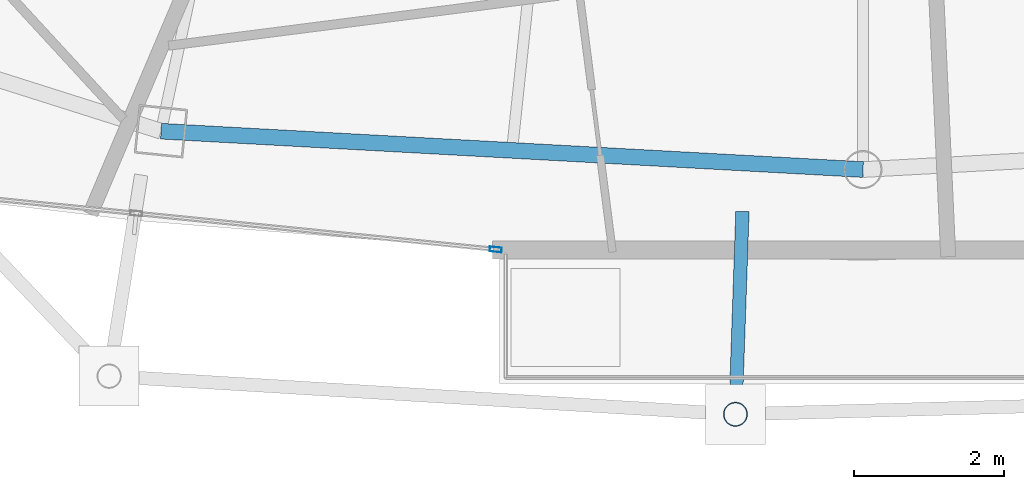
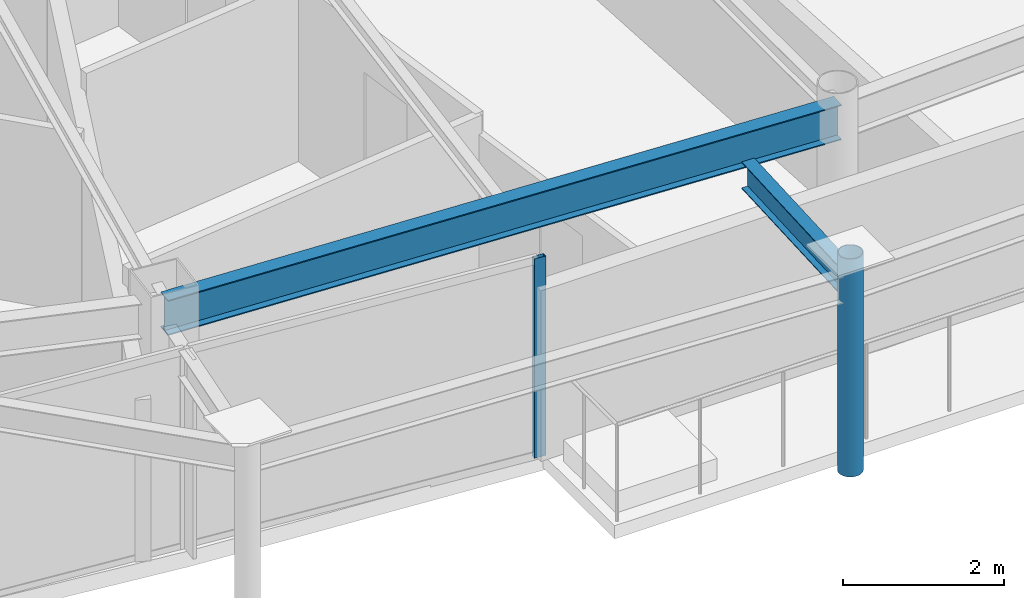
# One storey, part 7 of 30: 2 beams, 2 members, 1 element without a shape of its own.
"""IFC4 building model written with IfcOpenShell, lengths in metres."""

from ifc_helpers import new_model, si_unit, direction, frame, origin, origin_2d, place, context, subcontext, project, spatial, hollow_rectangle, hollow_circle, i_section, extrude, material, layer, layer_set, material_profile, profile_set, type_object, element, aggregate, save


model = new_model("IFC4")

# Units and contexts
model_context = context("Model", 3, precision=1e-05, world=origin(), true_north=direction((0.0, 1.0)))
body_context = subcontext(model_context, "Body", "Model", "MODEL_VIEW")
ifc_project = project(units=[si_unit("LENGTHUNIT", "METRE"), si_unit("AREAUNIT", "SQUARE_METRE"), si_unit("VOLUMEUNIT", "CUBIC_METRE"), si_unit("PLANEANGLEUNIT", "RADIAN"), si_unit("MASSUNIT", "GRAM", prefix="KILO")], contexts=[model_context])

# Site, building, storey
site_placement = place(None, origin())
site = spatial("IfcSite", under=ifc_project, at=site_placement, CompositionType="ELEMENT")
building_placement = place(site_placement, origin())
building = spatial("IfcBuilding", under=site, at=building_placement, Name="Orvanel Arch Residences", CompositionType="ELEMENT")
storey_placement = place(building_placement, frame((0.0, 0.0, 273.35009765625)))
storey = spatial("IfcBuildingStorey", under=building, at=storey_placement, Name="L78", CompositionType="ELEMENT", Elevation=273.35009765625)

# Curtain wall, member
ifc_material_1 = material(Name="Bronze-anodised aluminium AA6063-T6", Category="aluminium")
ifc_layer = layer(ifc_material_1, 0.175048828125)
ifc_layer_set = layer_set([ifc_layer], Name="Bronze-anodised aluminium AA6063-T6")
curtain_wall_type = type_object("IfcCurtainWallType", Name="CW4-HI-SYS", PredefinedType="NOTDEFINED", material=ifc_layer_set)
curtain_wall_placement = place(storey_placement, origin())
curtain_wall = element("IfcCurtainWall", 1, at=curtain_wall_placement, inside=storey, type_object=curtain_wall_type, Name="L78 CW4-HI-SYS Unitised Curtain Wall", PredefinedType="NOTDEFINED")
ifc_material_profile_1 = material_profile(ifc_material_1, hollow_rectangle(XDim=0.06494140625, YDim=0.159912109375, WallThickness=0.00390625, at=origin_2d()), Name="ALU160x65x4")
ifc_profile_set_1 = profile_set([ifc_material_profile_1], Name="Bronze-anodised aluminium AA6063-T6")
member_type_1 = type_object("IfcMemberType", Name="MUL-160x65", PredefinedType="MULLION", material=ifc_profile_set_1)
member_1_placement = place(storey_placement, frame((28.107666015625, 5.779296875, 0.0), z_axis=(0.0, 0.0, 1.0), x_axis=(0.100004397711, 0.99498699511, 0.0)))
member_1 = element("IfcMember", 2, at=member_1_placement, type_object=member_type_1, Name="CW-S4 mullion 3", PredefinedType="MULLION", context=body_context, shape_type="SweptSolid", body=[
    extrude(hollow_rectangle(XDim=0.06494140625, YDim=0.159912109375, WallThickness=0.00390625, at=origin_2d()), origin(), (0.0, 0.0, 1.0), 3.02001953125),
])
aggregate(curtain_wall, [member_1])

# Beams
ifc_material_2 = material(Name="Structural steel AS/NZS 3679.1 Grade 300 (300 MPa)", Category="steel")
ifc_material_profile_2 = material_profile(ifc_material_2, i_section(OverallWidth=0.177978515625, OverallDepth=0.406005859375, WebThickness=0.0078125, FlangeThickness=0.0126953125, at=origin_2d()), Name="410UB59.7")
ifc_profile_set_2 = profile_set([ifc_material_profile_2], Name="Structural steel AS/NZS 3679.1 Grade 300 (300 MPa)")
beam_type_1 = type_object("IfcBeamType", Name="OB-410UB-EXT", PredefinedType="SPANDREL", material=ifc_profile_set_2)
beam_1_placement = place(storey_placement, frame((31.39404296875, 6.285888671875, 2.81689453125), z_axis=(-0.034406290836, -0.999407928301, 0.0), x_axis=(0.999407928301, -0.034406290836, 0.0)))
element("IfcBeam", 3, at=beam_1_placement, inside=storey, type_object=beam_type_1, Name="L78 Outer Frame Radial Tie Beam 06", PredefinedType="SPANDREL", context=body_context, shape_type="SweptSolid", body=[
    extrude(i_section(OverallWidth=0.177978515625, OverallDepth=0.406005859375, WebThickness=0.0078125, FlangeThickness=0.0126953125, at=origin_2d()), origin(), (0.0, 0.0, 1.0), 2.70361328125),
])
ifc_material_profile_3 = material_profile(ifc_material_2, i_section(OverallWidth=0.208984375, OverallDepth=0.532958984375, WebThickness=0.01025390625, FlangeThickness=0.015625, at=origin_2d()), Name="530UB92.4")
ifc_profile_set_3 = profile_set([ifc_material_profile_3], Name="Structural steel AS/NZS 3679.1 Grade 300 (300 MPa)")
beam_type_2 = type_object("IfcBeamType", Name="SP-530UB", PredefinedType="SPANDREL", material=ifc_profile_set_3)
beam_2_placement = place(storey_placement, frame((23.64892578125, 7.35498046875, 2.7529296875), z_axis=(0.998510315598, -0.054563262768, 0.0), x_axis=(0.054563262768, 0.998510315598, 0.0)))
element("IfcBeam", 4, at=beam_2_placement, inside=storey, type_object=beam_type_2, Name="L78 Perimeter Spandrel Beam 03", PredefinedType="SPANDREL", context=body_context, shape_type="SweptSolid", body=[
    extrude(i_section(OverallWidth=0.208984375, OverallDepth=0.532958984375, WebThickness=0.01025390625, FlangeThickness=0.015625, at=origin_2d()), origin(), (0.0, 0.0, 1.0), 9.364990234375),
])

# Member
ifc_material_3 = material(Name="Structural steel AS/NZS 1163 C350L0 (Grade 350)", Category="steel")
ifc_material_profile_4 = material_profile(ifc_material_3, hollow_circle(Radius=0.162109375, WallThickness=0.0126953125, at=origin_2d()), Name="CHS324x12.7")
ifc_profile_set_4 = profile_set([ifc_material_profile_4], Name="Structural steel AS/NZS 1163 C350L0 (Grade 350)")
member_type_2 = type_object("IfcMemberType", Name="ST-324CHS-EXT", PredefinedType="STRUT", material=ifc_profile_set_4)
member_2_placement = place(storey_placement, frame((31.301025390625, 3.583984375, 0.0), z_axis=(0.0, 0.0, 1.0), x_axis=(1.0, 0.0, 0.0)))
element("IfcMember", 5, at=member_2_placement, inside=storey, type_object=member_type_2, Name="L78 Outer Perimeter Frame Post 06", PredefinedType="STRUT", context=body_context, shape_type="SweptSolid", body=[
    extrude(hollow_circle(Radius=0.162109375, WallThickness=0.0126953125, at=origin_2d()), origin(), (0.0, 0.0, 1.0), 3.2998046875),
])

save(model, "model.ifc")
